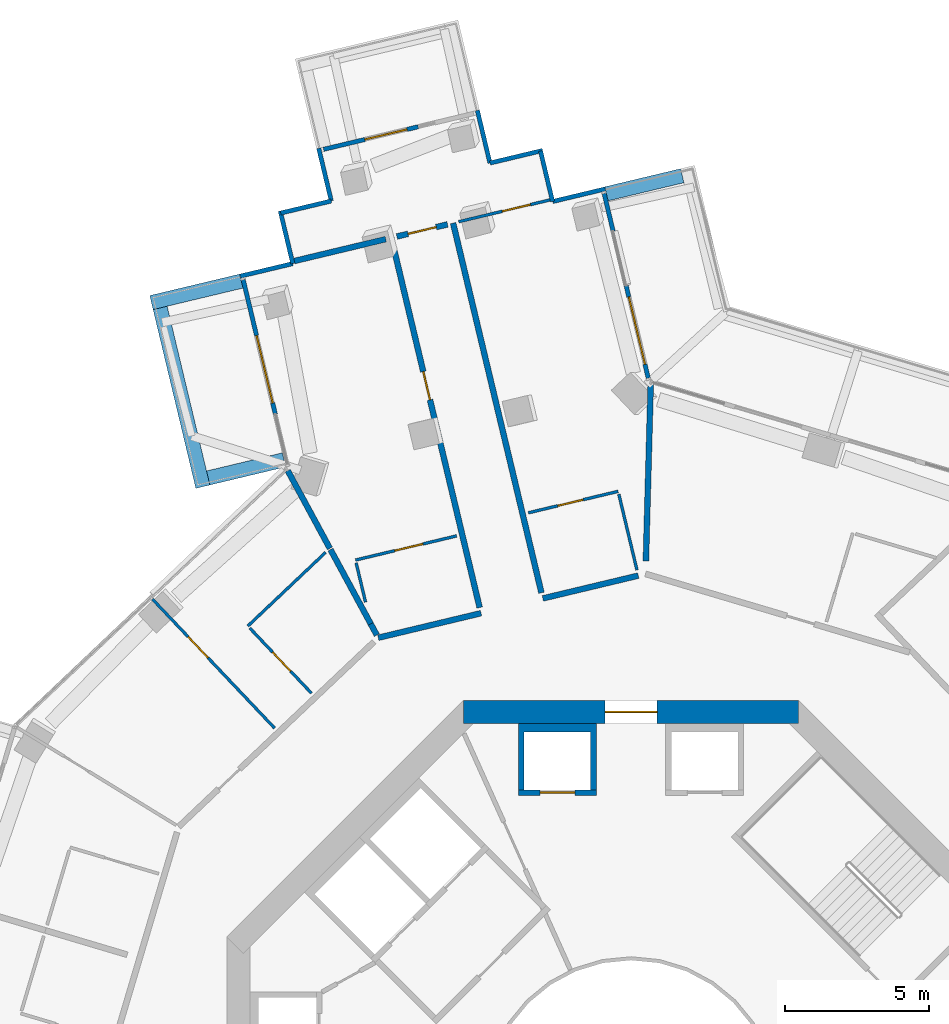
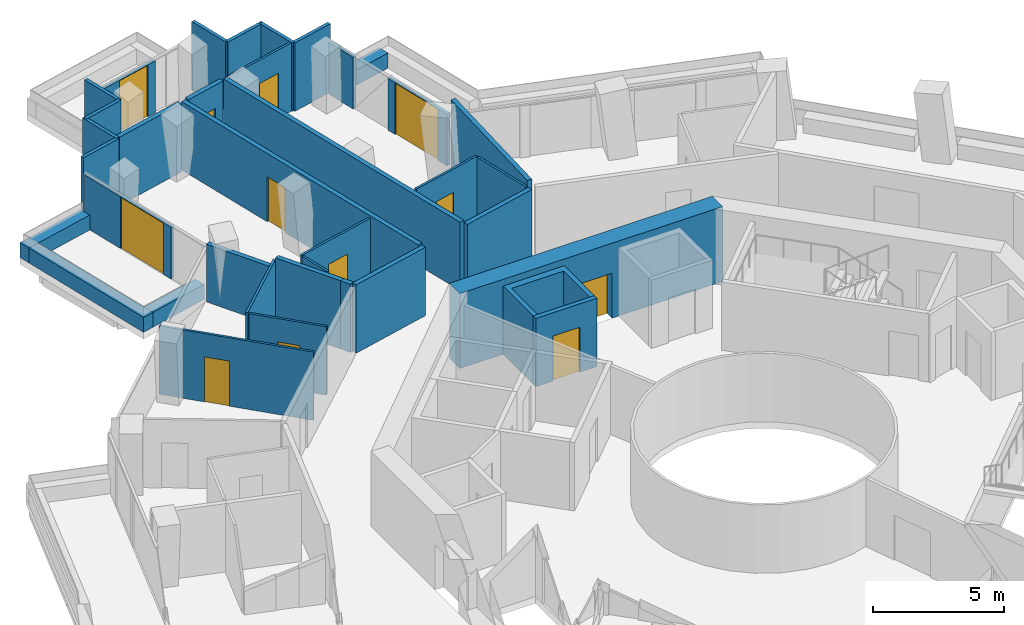
# One storey, part 22 of 27: 37 walls, 12 doors, 12 openings.
"""IFC4 building model written with IfcOpenShell, lengths in metres."""

from ifc_helpers import new_model, si_unit, direction, frame, frame_2d, origin, place, context, subcontext, project, spatial, polyline, rectangle, outline, extrude, material, layer, layer_set, type_object, element, fill, save


model = new_model("IFC4")

# Units and contexts
model_context = context("Model", 3, precision=1e-05, world=origin(), true_north=direction((0.0, 1.0)))
body_context = subcontext(model_context, "Body", "Model", "MODEL_VIEW")
ifc_project = project(units=[si_unit("LENGTHUNIT", "METRE"), si_unit("AREAUNIT", "SQUARE_METRE"), si_unit("VOLUMEUNIT", "CUBIC_METRE"), si_unit("PLANEANGLEUNIT", "RADIAN"), si_unit("MASSUNIT", "GRAM", prefix="KILO")], contexts=[model_context])

# Site, building, storey
site_placement = place(None, origin())
site = spatial("IfcSite", under=ifc_project, at=site_placement, CompositionType="ELEMENT")
building_placement = place(site_placement, origin())
building = spatial("IfcBuilding", under=site, at=building_placement, Name="Verdalira Terraces Hotel", CompositionType="ELEMENT")
storey_placement = place(building_placement, frame((0.0, 0.0, 89.5)))
storey = spatial("IfcBuildingStorey", under=building, at=storey_placement, Name="L20", CompositionType="ELEMENT", Elevation=89.5)

# Walls
ifc_material_1 = material(Name="Concrete C40", Category="concrete")
ifc_layer_1 = layer(ifc_material_1, 0.5)
ifc_layer_set_1 = layer_set([ifc_layer_1], Name="Balcony planter trough with tree")
wall_type_1 = type_object("IfcWallType", Name="Balcony planter trough with tree", PredefinedType="SOLIDWALL", material=ifc_layer_set_1)
wall_1_placement = place(storey_placement, frame((-13.498779, 28.516602, 0.0), z_axis=(0.0, 0.0, 1.0), x_axis=(-0.972621658, -0.232394299, 0.0)))
element("IfcWall", 1, at=wall_1_placement, inside=storey, type_object=wall_type_1, Name="Balcony planter", PredefinedType="SOLIDWALL", context=body_context, shape_type="SweptSolid", body=[
    extrude(rectangle(XDim=3.198975, YDim=0.5, at=frame_2d((1.599609, 0.0))), origin(), (0.0, 0.0, 1.0), 0.699951),
])
wall_2_placement = place(storey_placement, frame((-16.308838, 27.588135, 0.0), z_axis=(0.0, 0.0, 1.0), x_axis=(0.232405207, -0.972619052, 0.0)))
element("IfcWall", 2, at=wall_2_placement, inside=storey, type_object=wall_type_1, Name="Balcony planter", PredefinedType="SOLIDWALL", context=body_context, shape_type="SweptSolid", body=[
    extrude(rectangle(XDim=6.36499, YDim=0.5, at=frame_2d((3.182617, 0.0))), origin(), (0.0, 0.0, 1.0), 0.699951),
])
wall_3_placement = place(storey_placement, frame((-14.644531, 21.69873, 0.0), z_axis=(0.0, 0.0, 1.0), x_axis=(0.972606905, 0.232456035, 0.0)))
element("IfcWall", 3, at=wall_3_placement, inside=storey, type_object=wall_type_1, Name="Balcony planter", PredefinedType="SOLIDWALL", context=body_context, shape_type="SweptSolid", body=[
    extrude(rectangle(XDim=2.699219, YDim=0.5, at=frame_2d((1.349609, 0.0))), origin(), (0.0, 0.0, 1.0), 0.699951),
])
wall_4_placement = place(storey_placement, frame((1.772217, 32.166016, 0.0), z_axis=(0.0, 0.0, 1.0), x_axis=(-0.972602017, -0.232476487, 0.0)))
element("IfcWall", 4, at=wall_4_placement, inside=storey, type_object=wall_type_1, Name="Balcony planter", PredefinedType="SOLIDWALL", context=body_context, shape_type="SweptSolid", body=[
    extrude(rectangle(XDim=2.698975, YDim=0.5, at=frame_2d((1.349609, 0.0))), origin(), (0.0, 0.0, 1.0), 0.699951),
])

# Wall, opening, door
ifc_material_2 = material(Name="Moisture-resistant gypsum board partition")
ifc_layer_2 = layer(ifc_material_2, 0.10009765625)
ifc_layer_set_2 = layer_set([ifc_layer_2], Name="Bathroom partition 100 mm")
wall_type_2 = type_object("IfcWallType", Name="Bathroom partition 100 mm", PredefinedType="PARTITIONING", material=ifc_layer_set_2)
wall_5_placement = place(storey_placement, frame((-16.576904, 17.504883, 0.0), z_axis=(0.0, 0.0, 1.0), x_axis=(0.687611401, -0.726078894, 0.0)))
wall_5 = element("IfcWall", 5, at=wall_5_placement, inside=storey, type_object=wall_type_2, Name="Bathroom partition", PredefinedType="PARTITIONING", context=body_context, shape_type="SweptSolid", body=[
    extrude(rectangle(XDim=6.149902, YDim=0.100098, at=frame_2d((3.074951, 0.0))), origin(), (0.0, 0.0, 1.0), 3.189941),
])
opening_1_placement = place(wall_5_placement, frame((1.800049, 0.0, 0.0)))
opening_1 = element("IfcOpeningElement", 6, at=opening_1_placement, cuts=wall_5, Name="Opening L20-107", PredefinedType="OPENING", context=body_context, shape_type="SweptSolid", body=[
    extrude(rectangle(XDim=1.0, YDim=2.100098, at=frame_2d((0.5, 1.050049))), frame((0.0, 0.060059, 0.0), z_axis=(0.0, -1.0, 0.0), x_axis=(1.0, 0.0, 0.0)), (0.0, 0.0, 1.0), 0.120117),
])
ifc_material_3 = material(Name="Timber door", Category="wood")
door_type_1 = type_object("IfcDoorType", Name="Suite internal door 1000 x 2100", OperationType="NOTDEFINED", PredefinedType="DOOR", material=ifc_material_3)
door_1_placement = place(opening_1_placement, origin())
door_1 = element("IfcDoor", 7, at=door_1_placement, inside=storey, type_object=door_type_1, Name="Suite internal door 2003", OperationType="SINGLE_SWING_LEFT", OverallHeight=2.10009765625, OverallWidth=1.0, PredefinedType="DOOR", context=body_context, shape_type="SweptSolid", body=[
    extrude(rectangle(XDim=1.0, YDim=2.100098, at=frame_2d((0.5, 1.050049))), frame((0.0, 0.024902, 0.0), z_axis=(0.0, -1.0, 0.0), x_axis=(1.0, 0.0, 0.0)), (0.0, 0.0, 1.0), 0.050049),
])
fill(opening_1, door_1)

wall_6_placement = place(storey_placement, frame((-13.202881, 16.499512, 0.0), z_axis=(0.0, 0.0, 1.0), x_axis=(0.687589541, -0.726099596, 0.0)))
wall_6 = element("IfcWall", 8, at=wall_6_placement, inside=storey, type_object=wall_type_2, Name="Bathroom partition", PredefinedType="PARTITIONING", context=body_context, shape_type="SweptSolid", body=[
    extrude(rectangle(XDim=3.100098, YDim=0.100098, at=frame_2d((1.550049, 0.0))), origin(), (0.0, 0.0, 1.0), 3.189941),
])
opening_2_placement = place(wall_6_placement, frame((1.149902, 0.0, 0.0)))
opening_2 = element("IfcOpeningElement", 9, at=opening_2_placement, cuts=wall_6, Name="Opening L20-109", PredefinedType="OPENING", context=body_context, shape_type="SweptSolid", body=[
    extrude(rectangle(XDim=0.899902, YDim=2.100098, at=frame_2d((0.449951, 1.050049))), frame((0.0, 0.060059, 0.0), z_axis=(0.0, -1.0, 0.0), x_axis=(1.0, 0.0, 0.0)), (0.0, 0.0, 1.0), 0.120117),
])
ifc_material_4 = material(Name="Timber door", Category="wood")
door_type_2 = type_object("IfcDoorType", Name="Bathroom door 900 x 2100", OperationType="NOTDEFINED", PredefinedType="DOOR", material=ifc_material_4)
door_2_placement = place(opening_2_placement, origin())
door_2 = element("IfcDoor", 10, at=door_2_placement, inside=storey, type_object=door_type_2, Name="Bathroom door 2003", OperationType="SINGLE_SWING_LEFT", OverallHeight=2.10009765625, OverallWidth=0.89990234375, PredefinedType="DOOR", context=body_context, shape_type="SweptSolid", body=[
    extrude(rectangle(XDim=0.899902, YDim=2.100098, at=frame_2d((0.449951, 1.050049))), frame((0.0, 0.024902, 0.0), z_axis=(0.0, -1.0, 0.0), x_axis=(1.0, 0.0, 0.0)), (0.0, 0.0, 1.0), 0.050049),
])
fill(opening_2, door_2)

# Walls
wall_7_placement = place(storey_placement, frame((-10.582275, 19.118896, 0.0), z_axis=(0.0, 0.0, 1.0), x_axis=(-0.726060065, -0.687631284, 0.0)))
element("IfcWall", 11, at=wall_7_placement, inside=storey, type_object=wall_type_2, Name="Bathroom partition", PredefinedType="PARTITIONING", context=body_context, shape_type="SweptSolid", body=[
    extrude(rectangle(XDim=3.703857, YDim=0.100098, at=frame_2d((1.852051, 0.0))), origin(), (0.0, 0.0, 1.0), 3.189941),
])
wall_8_placement = place(storey_placement, frame((-9.195801, 17.398926, 0.0), z_axis=(0.0, 0.0, 1.0), x_axis=(-0.232501426, 0.972596055, 0.0)))
element("IfcWall", 12, at=wall_8_placement, inside=storey, type_object=wall_type_2, Name="Bathroom partition", PredefinedType="PARTITIONING", context=body_context, shape_type="SweptSolid", body=[
    extrude(rectangle(XDim=1.398682, YDim=0.100098, at=frame_2d((0.699219, 0.0))), origin(), (0.0, 0.0, 1.0), 3.189941),
])

# Wall, opening, door
wall_9_placement = place(storey_placement, frame((-6.042725, 19.693115, 0.0), z_axis=(0.0, 0.0, 1.0), x_axis=(-0.972618894, -0.232405867, 0.0)))
wall_9 = element("IfcWall", 13, at=wall_9_placement, inside=storey, type_object=wall_type_2, Name="Bathroom partition", PredefinedType="PARTITIONING", context=body_context, shape_type="SweptSolid", body=[
    extrude(rectangle(XDim=3.600098, YDim=0.100098, at=frame_2d((1.800049, 0.0))), origin(), (0.0, 0.0, 1.0), 3.189941),
])
opening_3_placement = place(wall_9_placement, frame((1.199951, 0.0, 0.0)))
opening_3 = element("IfcOpeningElement", 14, at=opening_3_placement, cuts=wall_9, Name="Opening L20-105", PredefinedType="OPENING", context=body_context, shape_type="SweptSolid", body=[
    extrude(rectangle(XDim=1.0, YDim=2.100098, at=frame_2d((0.5, 1.050049))), frame((0.0, 0.060059, 0.0), z_axis=(0.0, -1.0, 0.0), x_axis=(1.0, 0.0, 0.0)), (0.0, 0.0, 1.0), 0.120117),
])
ifc_material_5 = material(Name="Timber door", Category="wood")
door_type_3 = type_object("IfcDoorType", Name="Bathroom door 1000 x 2100", OperationType="NOTDEFINED", PredefinedType="DOOR", material=ifc_material_5)
door_3_placement = place(opening_3_placement, origin())
door_3 = element("IfcDoor", 15, at=door_3_placement, inside=storey, type_object=door_type_3, Name="Bathroom door 2002", OperationType="SINGLE_SWING_RIGHT", OverallHeight=2.10009765625, OverallWidth=1.0, PredefinedType="DOOR", context=body_context, shape_type="SweptSolid", body=[
    extrude(rectangle(XDim=1.0, YDim=2.100098, at=frame_2d((0.5, 1.050049))), frame((0.0, 0.024902, 0.0), z_axis=(0.0, -1.0, 0.0), x_axis=(1.0, 0.0, 0.0)), (0.0, 0.0, 1.0), 0.050049),
])
fill(opening_3, door_3)

wall_10_placement = place(storey_placement, frame((-2.806396, 31.328857, 0.0), z_axis=(0.0, 0.0, 1.0), x_axis=(-0.972615794, -0.232418841, 0.0)))
wall_10 = element("IfcWall", 16, at=wall_10_placement, inside=storey, type_object=wall_type_2, Name="Bathroom partition", PredefinedType="PARTITIONING", context=body_context, shape_type="SweptSolid", body=[
    extrude(rectangle(XDim=3.252197, YDim=0.100098, at=frame_2d((1.625977, 0.0))), origin(), (0.0, 0.0, 1.0), 3.189941),
])
opening_4_placement = place(wall_10_placement, frame((0.699951, 0.0, 0.0)))
opening_4 = element("IfcOpeningElement", 17, at=opening_4_placement, cuts=wall_10, Name="Opening L20-102", PredefinedType="OPENING", context=body_context, shape_type="SweptSolid", body=[
    extrude(rectangle(XDim=1.0, YDim=2.100098, at=frame_2d((0.5, 1.050049))), frame((0.0, 0.060059, 0.0), z_axis=(0.0, -1.0, 0.0), x_axis=(1.0, 0.0, 0.0)), (0.0, 0.0, 1.0), 0.120117),
])
door_4_placement = place(opening_4_placement, origin())
door_4 = element("IfcDoor", 18, at=door_4_placement, inside=storey, type_object=door_type_1, Name="Suite internal door 2001", OperationType="SINGLE_SWING_LEFT", OverallHeight=2.10009765625, OverallWidth=1.0, PredefinedType="DOOR", context=body_context, shape_type="SweptSolid", body=[
    extrude(rectangle(XDim=1.0, YDim=2.100098, at=frame_2d((0.5, 1.050049))), frame((0.0, 0.024902, 0.0), z_axis=(0.0, -1.0, 0.0), x_axis=(1.0, 0.0, 0.0)), (0.0, 0.0, 1.0), 0.050049),
])
fill(opening_4, door_4)

wall_11_placement = place(storey_placement, frame((-0.447998, 21.23584, 0.0), z_axis=(0.0, 0.0, 1.0), x_axis=(-0.972603647, -0.232469667, 0.0)))
wall_11 = element("IfcWall", 19, at=wall_11_placement, inside=storey, type_object=wall_type_2, Name="Bathroom partition", PredefinedType="PARTITIONING", context=body_context, shape_type="SweptSolid", body=[
    extrude(rectangle(XDim=3.199951, YDim=0.100098, at=frame_2d((1.600098, 0.0))), origin(), (0.0, 0.0, 1.0), 3.189941),
])
opening_5_placement = place(wall_11_placement, frame((1.25, 0.0, 0.0)))
opening_5 = element("IfcOpeningElement", 20, at=opening_5_placement, cuts=wall_11, Name="Opening L20-103", PredefinedType="OPENING", context=body_context, shape_type="SweptSolid", body=[
    extrude(rectangle(XDim=0.899902, YDim=2.100098, at=frame_2d((0.449951, 1.050049))), frame((0.0, 0.060059, 0.0), z_axis=(0.0, -1.0, 0.0), x_axis=(1.0, 0.0, 0.0)), (0.0, 0.0, 1.0), 0.120117),
])
door_5_placement = place(opening_5_placement, origin())
door_5 = element("IfcDoor", 21, at=door_5_placement, inside=storey, type_object=door_type_2, Name="Bathroom door 2001", OperationType="SINGLE_SWING_LEFT", OverallHeight=2.10009765625, OverallWidth=0.89990234375, PredefinedType="DOOR", context=body_context, shape_type="SweptSolid", body=[
    extrude(rectangle(XDim=0.899902, YDim=2.100098, at=frame_2d((0.449951, 1.050049))), frame((0.0, 0.024902, 0.0), z_axis=(0.0, -1.0, 0.0), x_axis=(1.0, 0.0, 0.0)), (0.0, 0.0, 1.0), 0.050049),
])
fill(opening_5, door_5)

# Walls
wall_12_placement = place(storey_placement, frame((0.202881, 18.512451, 0.0), z_axis=(0.0, 0.0, 1.0), x_axis=(-0.232480242, 0.972601119, 0.0)))
element("IfcWall", 22, at=wall_12_placement, inside=storey, type_object=wall_type_2, Name="Bathroom partition", PredefinedType="PARTITIONING", context=body_context, shape_type="SweptSolid", body=[
    extrude(rectangle(XDim=2.699951, YDim=0.100098, at=frame_2d((1.350098, 0.0))), origin(), (0.0, 0.0, 1.0), 3.189941),
])
ifc_material_6 = material(Name="Concrete C50", Category="concrete")
ifc_layer_3 = layer(ifc_material_6, 0.199951171875)
ifc_layer_set_3 = layer_set([ifc_layer_3], Name="Core RC wall 200 C50")
wall_type_3 = type_object("IfcWallType", Name="Core RC wall 200 C50", PredefinedType="SOLIDWALL", material=ifc_layer_set_3)
wall_13_placement = place(storey_placement, origin())
element("IfcWall", 23, at=wall_13_placement, inside=storey, type_object=wall_type_3, Name="L20 shaft wall N2", PredefinedType="SOLIDWALL", context=body_context, shape_type="SweptSolid", body=[
    extrude(outline(polyline([(-3.899902, 10.899902), (-3.899902, 13.199951), (-1.199951, 13.199951), (-1.199951, 10.899902), (-1.399902, 10.899902), (-1.399902, 12.899902), (-3.699951, 12.899902), (-3.699951, 10.899902), (-3.899902, 10.899902)])), origin(), (0.0, 0.0, 1.0), 3.189941),
])

# Wall, opening, door
wall_14_placement = place(storey_placement, frame((-1.199951, 10.800049, 0.0), z_axis=(0.0, 0.0, 1.0), x_axis=(-1.0, 0.0, 0.0)))
wall_14 = element("IfcWall", 24, at=wall_14_placement, inside=storey, type_object=wall_type_3, Name="L20 shaft front wall N2", PredefinedType="SOLIDWALL", context=body_context, shape_type="SweptSolid", body=[
    extrude(rectangle(XDim=2.699951, YDim=0.199951, at=frame_2d((1.350098, 0.0))), origin(), (0.0, 0.0, 1.0), 3.189941),
])
opening_6_placement = place(wall_14_placement, frame((0.75, 0.0, 0.0)))
opening_6 = element("IfcOpeningElement", 25, at=opening_6_placement, cuts=wall_14, Name="Opening LD-L20-804", PredefinedType="OPENING", context=body_context, shape_type="SweptSolid", body=[
    extrude(rectangle(XDim=1.199951, YDim=2.100098, at=frame_2d((0.600098, 1.050049))), frame((0.0, 0.109863, 0.0), z_axis=(0.0, -1.0, 0.0), x_axis=(1.0, 0.0, 0.0)), (0.0, 0.0, 1.0), 0.219971),
])
ifc_material_7 = material(Name="Stainless steel", Category="steel")
door_type_4 = type_object("IfcDoorType", Name="Landing door 1200 x 2100", OperationType="NOTDEFINED", PredefinedType="DOOR", material=ifc_material_7)
door_6_placement = place(opening_6_placement, origin())
door_6 = element("IfcDoor", 26, at=door_6_placement, inside=storey, type_object=door_type_4, Name="Lift landing door LR4 L20", OperationType="DOUBLE_DOOR_SLIDING", OverallHeight=2.10009765625, OverallWidth=1.199951171875, PredefinedType="DOOR", context=body_context, shape_type="SweptSolid", body=[
    extrude(rectangle(XDim=1.199951, YDim=2.100098, at=frame_2d((0.600098, 1.050049))), frame((0.0, 0.024902, 0.0), z_axis=(0.0, -1.0, 0.0), x_axis=(1.0, 0.0, 0.0)), (0.0, 0.0, 1.0), 0.050049),
])
fill(opening_6, door_6)

ifc_material_8 = material(Name="Concrete C70", Category="concrete")
ifc_layer_4 = layer(ifc_material_8, 0.800048828125)
ifc_layer_set_4 = layer_set([ifc_layer_4], Name="Core wall 800 C70")
wall_type_4 = type_object("IfcWallType", Name="Core wall 800 C70", PredefinedType="SHEAR", material=ifc_layer_set_4)
wall_15_placement = place(storey_placement, frame((5.799072, 13.600098, 0.0), z_axis=(0.0, 0.0, 1.0), x_axis=(-1.0, 0.0, 0.0)))
wall_15 = element("IfcWall", 27, at=wall_15_placement, inside=storey, type_object=wall_type_4, Name="Core wall CW-L20-3", PredefinedType="SHEAR", context=body_context, shape_type="SweptSolid", body=[
    extrude(rectangle(XDim=11.598145, YDim=0.800049, at=frame_2d((5.799072, 0.0))), origin(), (0.0, 0.0, 1.0), 3.5),
])
opening_7_placement = place(wall_15_placement, frame((4.898926, 0.0, 0.0)))
opening_7 = element("IfcOpeningElement", 28, at=opening_7_placement, cuts=wall_15, Name="Opening L20-813", PredefinedType="OPENING", context=body_context, shape_type="SweptSolid", body=[
    extrude(rectangle(XDim=1.800049, YDim=2.100098, at=frame_2d((0.899902, 1.050049))), frame((0.0, 0.409912, 0.0), z_axis=(0.0, -1.0, 0.0), x_axis=(1.0, 0.0, 0.0)), (0.0, 0.0, 1.0), 0.820068),
])
ifc_material_9 = material(Name="Steel fire door", Category="steel")
door_type_5 = type_object("IfcDoorType", Name="Core entry door pair 1800 x 2100", OperationType="NOTDEFINED", PredefinedType="DOOR", material=ifc_material_9)
door_7_placement = place(opening_7_placement, origin())
door_7 = element("IfcDoor", 29, at=door_7_placement, inside=storey, type_object=door_type_5, Name="Core entry door L20 2", OperationType="DOUBLE_DOOR_SINGLE_SWING", OverallHeight=2.10009765625, OverallWidth=1.800048828125, PredefinedType="DOOR", context=body_context, shape_type="SweptSolid", body=[
    extrude(rectangle(XDim=1.800049, YDim=2.100098, at=frame_2d((0.899902, 1.050049))), frame((0.0, 0.024902, 0.0), z_axis=(0.0, -1.0, 0.0), x_axis=(1.0, 0.0, 0.0)), (0.0, 0.0, 1.0), 0.050049),
])
fill(opening_7, door_7)

# Walls
ifc_material_10 = material(Name="Fire-rated gypsum board wall")
ifc_layer_5 = layer(ifc_material_10, 0.199951171875)
ifc_layer_set_5 = layer_set([ifc_layer_5], Name="Demising wall 200 mm")
wall_type_5 = type_object("IfcWallType", Name="Demising wall 200 mm", PredefinedType="SOLIDWALL", material=ifc_layer_set_5)
wall_16_placement = place(storey_placement, frame((-8.496338, 29.968994, 0.0), z_axis=(0.0, 0.0, 1.0), x_axis=(-0.972611738, -0.232435812, 0.0)))
element("IfcWall", 30, at=wall_16_placement, inside=storey, type_object=wall_type_5, Name="Demising wall", PredefinedType="SOLIDWALL", context=body_context, shape_type="SweptSolid", body=[
    extrude(rectangle(XDim=3.251953, YDim=0.199951, at=frame_2d((1.625977, 0.0))), origin(), (0.0, 0.0, 1.0), 3.189941),
])
wall_17_placement = place(storey_placement, frame((-9.016113, 16.647217, 0.0), z_axis=(0.0, 0.0, 1.0), x_axis=(-0.476223987, 0.87932401, 0.0)))
element("IfcWall", 31, at=wall_17_placement, inside=storey, type_object=wall_type_5, Name="Demising wall", PredefinedType="SOLIDWALL", context=body_context, shape_type="SweptSolid", body=[
    extrude(rectangle(XDim=2.924805, YDim=0.199951, at=frame_2d((1.462402, 0.0))), origin(), (0.0, 0.0, 1.0), 3.189941),
])
wall_18_placement = place(storey_placement, frame((-8.804688, 16.25708, 0.0), z_axis=(0.0, 0.0, 1.0), x_axis=(-0.47646038, 0.879195943, 0.0)))
element("IfcWall", 32, at=wall_18_placement, inside=storey, type_object=wall_type_5, Name="Demising wall", PredefinedType="SOLIDWALL", context=body_context, shape_type="SweptSolid", body=[
    extrude(rectangle(XDim=0.443848, YDim=0.199951, at=frame_2d((0.221924, 0.0))), origin(), (0.0, 0.0, 1.0), 3.189941),
])
wall_19_placement = place(storey_placement, frame((0.679688, 24.954834, 0.0), z_axis=(0.0, 0.0, 1.0), x_axis=(-0.02723221, -0.999629135, 0.0)))
element("IfcWall", 33, at=wall_19_placement, inside=storey, type_object=wall_type_5, Name="Demising wall", PredefinedType="SOLIDWALL", context=body_context, shape_type="SweptSolid", body=[
    extrude(rectangle(XDim=6.13208, YDim=0.199951, at=frame_2d((3.065918, 0.0))), origin(), (0.0, 0.0, 1.0), 3.189941),
])
ifc_material_11 = material(Name="Fire-rated gypsum board wall")
ifc_layer_6 = layer(ifc_material_11, 0.199951171875)
ifc_layer_set_6 = layer_set([ifc_layer_6], Name="Demising wall 200 mm to beam soffit")
wall_type_6 = type_object("IfcWallType", Name="Demising wall 200 mm to beam soffit", PredefinedType="SOLIDWALL", material=ifc_layer_set_6)
wall_20_placement = place(storey_placement, frame((-10.430908, 19.259521, 0.0), z_axis=(0.0, 0.0, 1.0), x_axis=(-0.476257458, 0.879305882, 0.0)))
element("IfcWall", 34, at=wall_20_placement, inside=storey, type_object=wall_type_6, Name="Demising wall", PredefinedType="SOLIDWALL", context=body_context, shape_type="SweptSolid", body=[
    extrude(rectangle(XDim=3.061279, YDim=0.199951, at=frame_2d((1.530762, 0.0))), origin(), (0.0, 0.0, 1.0), 2.689941),
])

# Wall, opening, door
ifc_material_12 = material(Name="Fire-rated gypsum board wall")
ifc_layer_7 = layer(ifc_material_12, 0.199951171875)
ifc_layer_set_7 = layer_set([ifc_layer_7], Name="Guest corridor wall 200 mm")
wall_type_7 = type_object("IfcWallType", Name="Guest corridor wall 200 mm", PredefinedType="SOLIDWALL", material=ifc_layer_set_7)
wall_21_placement = place(storey_placement, frame((-8.111084, 30.061035, 0.0), z_axis=(0.0, 0.0, 1.0), x_axis=(0.97259087, 0.232523116, 0.0)))
wall_21 = element("IfcWall", 35, at=wall_21_placement, inside=storey, type_object=wall_type_7, Name="Guest corridor wall", PredefinedType="SOLIDWALL", context=body_context, shape_type="SweptSolid", body=[
    extrude(rectangle(XDim=1.803955, YDim=0.199951, at=frame_2d((0.901855, 0.0))), origin(), (0.0, 0.0, 1.0), 3.189941),
])
opening_8_placement = place(wall_21_placement, frame((0.399902, 0.0, 0.0)))
opening_8 = element("IfcOpeningElement", 36, at=opening_8_placement, cuts=wall_21, Name="Opening L20-101", PredefinedType="OPENING", context=body_context, shape_type="SweptSolid", body=[
    extrude(rectangle(XDim=1.0, YDim=2.100098, at=frame_2d((0.5, 1.050049))), frame((0.0, 0.109863, 0.0), z_axis=(0.0, -1.0, 0.0), x_axis=(1.0, 0.0, 0.0)), (0.0, 0.0, 1.0), 0.219971),
])
ifc_material_13 = material(Name="Timber fire door", Category="wood")
door_type_6 = type_object("IfcDoorType", Name="Guest entry door 1000 x 2100", OperationType="NOTDEFINED", PredefinedType="DOOR", material=ifc_material_13)
door_8_placement = place(opening_8_placement, origin())
door_8 = element("IfcDoor", 37, at=door_8_placement, inside=storey, type_object=door_type_6, Name="Guest entry door 2001", OperationType="SINGLE_SWING_LEFT", OverallHeight=2.10009765625, OverallWidth=1.0, PredefinedType="DOOR", context=body_context, shape_type="SweptSolid", body=[
    extrude(rectangle(XDim=1.0, YDim=2.100098, at=frame_2d((0.5, 1.050049))), frame((0.0, 0.024902, 0.0), z_axis=(0.0, -1.0, 0.0), x_axis=(1.0, 0.0, 0.0)), (0.0, 0.0, 1.0), 0.050049),
])
fill(opening_8, door_8)

# Wall
wall_22_placement = place(storey_placement, frame((-5.19751, 17.016357, 0.0), z_axis=(0.0, 0.0, 1.0), x_axis=(-0.972610386, -0.232441469, 0.0)))
element("IfcWall", 38, at=wall_22_placement, inside=storey, type_object=wall_type_7, Name="Guest corridor wall", PredefinedType="SOLIDWALL", context=body_context, shape_type="SweptSolid", body=[
    extrude(rectangle(XDim=3.658203, YDim=0.199951, at=frame_2d((1.829102, 0.0))), origin(), (0.0, 0.0, 1.0), 3.189941),
])

# Wall, opening, door
wall_23_placement = place(storey_placement, frame((-5.243896, 17.210938, 0.0), z_axis=(0.0, 0.0, 1.0), x_axis=(-0.232425248, 0.972614263, 0.0)))
wall_23 = element("IfcWall", 39, at=wall_23_placement, inside=storey, type_object=wall_type_7, Name="Guest corridor wall", PredefinedType="SOLIDWALL", context=body_context, shape_type="SweptSolid", body=[
    extrude(rectangle(XDim=13.164795, YDim=0.199951, at=frame_2d((6.58252, 0.0))), origin(), (0.0, 0.0, 1.0), 3.189941),
])
opening_9_placement = place(wall_23_placement, frame((7.399902, 0.0, 0.0)))
opening_9 = element("IfcOpeningElement", 40, at=opening_9_placement, cuts=wall_23, Name="Opening L20-104", PredefinedType="OPENING", context=body_context, shape_type="SweptSolid", body=[
    extrude(rectangle(XDim=1.0, YDim=2.100098, at=frame_2d((0.5, 1.050049))), frame((0.0, 0.109863, 0.0), z_axis=(0.0, -1.0, 0.0), x_axis=(1.0, 0.0, 0.0)), (0.0, 0.0, 1.0), 0.219971),
])
door_9_placement = place(opening_9_placement, origin())
door_9 = element("IfcDoor", 41, at=door_9_placement, inside=storey, type_object=door_type_6, Name="Guest entry door 2002", OperationType="SINGLE_SWING_RIGHT", OverallHeight=2.10009765625, OverallWidth=1.0, PredefinedType="DOOR", context=body_context, shape_type="SweptSolid", body=[
    extrude(rectangle(XDim=1.0, YDim=2.100098, at=frame_2d((0.5, 1.050049))), frame((0.0, 0.024902, 0.0), z_axis=(0.0, -1.0, 0.0), x_axis=(1.0, 0.0, 0.0)), (0.0, 0.0, 1.0), 0.050049),
])
fill(opening_9, door_9)

# Walls
wall_24_placement = place(storey_placement, frame((-3.104004, 17.722168, 0.0), z_axis=(0.0, 0.0, 1.0), x_axis=(-0.232438599, 0.972611072, 0.0)))
element("IfcWall", 42, at=wall_24_placement, inside=storey, type_object=wall_type_7, Name="Guest corridor wall", PredefinedType="SOLIDWALL", context=body_context, shape_type="SweptSolid", body=[
    extrude(rectangle(XDim=13.165039, YDim=0.199951, at=frame_2d((6.58252, 0.0))), origin(), (0.0, 0.0, 1.0), 3.189941),
])
wall_25_placement = place(storey_placement, frame((0.249268, 18.317871, 0.0), z_axis=(0.0, 0.0, 1.0), x_axis=(-0.972611719, -0.23243589, 0.0)))
element("IfcWall", 43, at=wall_25_placement, inside=storey, type_object=wall_type_7, Name="Guest corridor wall", PredefinedType="SOLIDWALL", context=body_context, shape_type="SweptSolid", body=[
    extrude(rectangle(XDim=3.399902, YDim=0.199951, at=frame_2d((1.699951, 0.0))), origin(), (0.0, 0.0, 1.0), 3.189941),
])
ifc_material_14 = material(Name="Terracotta cladding", Category="masonry")
ifc_layer_8 = layer(ifc_material_14, 0.14990234375)
ifc_layer_set_8 = layer_set([ifc_layer_8], Name="Terracotta clad wall 150")
wall_type_8 = type_object("IfcWallType", Name="Terracotta clad wall 150", PredefinedType="SOLIDWALL", material=ifc_layer_set_8)
wall_26_placement = place(storey_placement, frame((-0.894531, 31.708496, 0.0), z_axis=(0.0, 0.0, 1.0), x_axis=(-0.972610259, -0.232442002, 0.0)))
element("IfcWall", 44, at=wall_26_placement, inside=storey, type_object=wall_type_8, Name="Terracotta cladding wall", PredefinedType="SOLIDWALL", context=body_context, shape_type="SweptSolid", body=[
    extrude(rectangle(XDim=1.874756, YDim=0.149902, at=frame_2d((0.9375, 0.0))), origin(), (0.0, 0.0, 1.0), 3.189941),
])
wall_27_placement = place(storey_placement, frame((-2.718018, 31.272705, 0.0), z_axis=(0.0, 0.0, 1.0), x_axis=(-0.232470019, 0.972603563, 0.0)))
element("IfcWall", 45, at=wall_27_placement, inside=storey, type_object=wall_type_8, Name="Terracotta cladding wall", PredefinedType="SOLIDWALL", context=body_context, shape_type="SweptSolid", body=[
    extrude(rectangle(XDim=1.800049, YDim=0.149902, at=frame_2d((0.899902, 0.0))), origin(), (0.0, 0.0, 1.0), 3.189941),
])
wall_28_placement = place(storey_placement, frame((-3.063477, 33.041016, 0.0), z_axis=(0.0, 0.0, 1.0), x_axis=(-0.972617293, -0.232412566, 0.0)))
element("IfcWall", 46, at=wall_28_placement, inside=storey, type_object=wall_type_8, Name="Terracotta cladding wall", PredefinedType="SOLIDWALL", context=body_context, shape_type="SweptSolid", body=[
    extrude(rectangle(XDim=1.875, YDim=0.149902, at=frame_2d((0.9375, 0.0))), origin(), (0.0, 0.0, 1.0), 3.189941),
])
for number, where, z_axis, x_axis, name in (
    (47, (-4.887207, 32.605225, 0.0), (0.0, 0.0, 1.0), (-0.232442002, 0.972610259, 0.0), "Terracotta cladding wall"),
    (48, (-10.818115, 33.115479, 0.0), (0.0, 0.0, 1.0), (0.232442002, -0.972610259, 0.0), "Terracotta cladding wall"),
):
    element("IfcWall", number, at=place(storey_placement, frame(where, z_axis=z_axis, x_axis=x_axis)), inside=storey, type_object=wall_type_8, Name=name, PredefinedType="SOLIDWALL", context=body_context, shape_type="SweptSolid", body=[
        extrude(rectangle(XDim=1.874756, YDim=0.149902, at=frame_2d((0.9375, 0.0))), origin(), (0.0, 0.0, 1.0), 3.189941),
    ])
wall_29_placement = place(storey_placement, frame((-10.382324, 31.291992, 0.0), z_axis=(0.0, 0.0, 1.0), x_axis=(-0.972603563, -0.232470019, 0.0)))
element("IfcWall", 49, at=wall_29_placement, inside=storey, type_object=wall_type_8, Name="Terracotta cladding wall", PredefinedType="SOLIDWALL", context=body_context, shape_type="SweptSolid", body=[
    extrude(rectangle(XDim=1.800049, YDim=0.149902, at=frame_2d((0.899902, 0.0))), origin(), (0.0, 0.0, 1.0), 3.189941),
])
wall_30_placement = place(storey_placement, frame((-12.150635, 30.946533, 0.0), z_axis=(0.0, 0.0, 1.0), x_axis=(0.232412566, -0.972617293, 0.0)))
element("IfcWall", 50, at=wall_30_placement, inside=storey, type_object=wall_type_8, Name="Terracotta cladding wall", PredefinedType="SOLIDWALL", context=body_context, shape_type="SweptSolid", body=[
    extrude(rectangle(XDim=1.875, YDim=0.149902, at=frame_2d((0.9375, 0.0))), origin(), (0.0, 0.0, 1.0), 3.189941),
])
wall_31_placement = place(storey_placement, frame((-11.714844, 29.122803, 0.0), z_axis=(0.0, 0.0, 1.0), x_axis=(-0.972610259, -0.232442002, 0.0)))
element("IfcWall", 51, at=wall_31_placement, inside=storey, type_object=wall_type_8, Name="Terracotta cladding wall", PredefinedType="SOLIDWALL", context=body_context, shape_type="SweptSolid", body=[
    extrude(rectangle(XDim=1.874756, YDim=0.149902, at=frame_2d((0.9375, 0.0))), origin(), (0.0, 0.0, 1.0), 3.189941),
])
ifc_material_15 = material(Name="Terracotta cladding", Category="masonry")
ifc_layer_9 = layer(ifc_material_15, 0.14990234375)
ifc_layer_set_9 = layer_set([ifc_layer_9], Name="Terracotta column pier 150")
wall_type_9 = type_object("IfcWallType", Name="Terracotta column pier 150", PredefinedType="SOLIDWALL", material=ifc_layer_set_9)
wall_32_placement = place(storey_placement, frame((-0.620361, 30.23877, 0.0), z_axis=(0.0, 0.0, 1.0), x_axis=(-0.232338607, 0.972634963, 0.0)))
element("IfcWall", 52, at=wall_32_placement, inside=storey, type_object=wall_type_9, Name="Terracotta column pier", PredefinedType="SOLIDWALL", context=body_context, shape_type="SweptSolid", body=[
    extrude(rectangle(XDim=1.348145, YDim=0.149902, at=frame_2d((0.674072, 0.0))), origin(), (0.0, 0.0, 1.0), 2.425049),
])

# Wall, opening, door
ifc_material_16 = material(Name="Terracotta cladding", Category="masonry")
ifc_layer_10 = layer(ifc_material_16, 0.14990234375)
ifc_layer_set_10 = layer_set([ifc_layer_10], Name="Terracotta door pier 150")
wall_type_10 = type_object("IfcWallType", Name="Terracotta door pier 150", PredefinedType="SOLIDWALL", material=ifc_layer_set_10)
wall_33_placement = place(storey_placement, frame((0.594482, 25.155518, 0.0), z_axis=(0.0, 0.0, 1.0), x_axis=(-0.232458891, 0.972606222, 0.0)))
wall_33 = element("IfcWall", 53, at=wall_33_placement, inside=storey, type_object=wall_type_10, Name="Terracotta door pier", PredefinedType="SOLIDWALL", context=body_context, shape_type="SweptSolid", body=[
    extrude(rectangle(XDim=3.293701, YDim=0.149902, at=frame_2d((1.646973, 0.0))), origin(), (0.0, 0.0, 1.0), 2.425049),
])
opening_10_placement = place(wall_33_placement, frame((0.493652, 0.0, 0.0)))
opening_10 = element("IfcOpeningElement", 54, at=opening_10_placement, cuts=wall_33, Name="Opening L20-B01", PredefinedType="OPENING", context=body_context, shape_type="SweptSolid", body=[
    extrude(rectangle(XDim=2.399902, YDim=2.399902, at=frame_2d((1.199951, 1.199951))), frame((0.0, 0.084961, 0.0), z_axis=(0.0, -1.0, 0.0), x_axis=(1.0, 0.0, 0.0)), (0.0, 0.0, 1.0), 0.169922),
])
ifc_material_17 = material(Name="Clear glass", Category="glass")
door_type_7 = type_object("IfcDoorType", Name="Balcony sliding door 2400x2400", OperationType="NOTDEFINED", PredefinedType="DOOR", material=ifc_material_17)
door_10_placement = place(opening_10_placement, origin())
door_10 = element("IfcDoor", 55, at=door_10_placement, inside=storey, type_object=door_type_7, Name="Balcony sliding door", OperationType="SLIDING_TO_LEFT", OverallHeight=2.39990234375, OverallWidth=2.39990234375, PredefinedType="DOOR", context=body_context, shape_type="SweptSolid", body=[
    extrude(rectangle(XDim=2.399902, YDim=2.399902, at=frame_2d((1.199951, 1.199951))), frame((0.0, 0.024902, 0.0), z_axis=(0.0, -1.0, 0.0), x_axis=(1.0, 0.0, 0.0)), (0.0, 0.0, 1.0), 0.050049),
])
fill(opening_10, door_10)

wall_34_placement = place(storey_placement, frame((-7.372314, 33.862061, 0.0), z_axis=(0.0, 0.0, 1.0), x_axis=(-0.972604533, -0.232465958, 0.0)))
wall_34 = element("IfcWall", 56, at=wall_34_placement, inside=storey, type_object=wall_type_10, Name="Terracotta door pier", PredefinedType="SOLIDWALL", context=body_context, shape_type="SweptSolid", body=[
    extrude(rectangle(XDim=3.370117, YDim=0.149902, at=frame_2d((1.685059, 0.0))), origin(), (0.0, 0.0, 1.0), 2.425049),
])
opening_11_placement = place(wall_34_placement, frame((0.399902, 0.0, 0.0)))
opening_11 = element("IfcOpeningElement", 57, at=opening_11_placement, cuts=wall_34, Name="Opening L20-B02", PredefinedType="OPENING", context=body_context, shape_type="SweptSolid", body=[
    extrude(rectangle(XDim=1.5, YDim=2.399902, at=frame_2d((0.75, 1.199951))), frame((0.0, 0.084961, 0.0), z_axis=(0.0, -1.0, 0.0), x_axis=(1.0, 0.0, 0.0)), (0.0, 0.0, 1.0), 0.169922),
])
ifc_material_18 = material(Name="Clear glass", Category="glass")
door_type_8 = type_object("IfcDoorType", Name="Balcony sliding door 1500x2400", OperationType="NOTDEFINED", PredefinedType="DOOR", material=ifc_material_18)
door_11_placement = place(opening_11_placement, origin())
door_11 = element("IfcDoor", 58, at=door_11_placement, inside=storey, type_object=door_type_8, Name="Balcony sliding door", OperationType="SLIDING_TO_RIGHT", OverallHeight=2.39990234375, OverallWidth=1.5, PredefinedType="DOOR", context=body_context, shape_type="SweptSolid", body=[
    extrude(rectangle(XDim=1.5, YDim=2.399902, at=frame_2d((0.75, 1.199951))), frame((0.0, 0.024902, 0.0), z_axis=(0.0, -1.0, 0.0), x_axis=(1.0, 0.0, 0.0)), (0.0, 0.0, 1.0), 0.050049),
])
fill(opening_11, door_11)

wall_35_placement = place(storey_placement, frame((-13.431885, 28.563477, 0.0), z_axis=(0.0, 0.0, 1.0), x_axis=(0.232433775, -0.972612225, 0.0)))
wall_35 = element("IfcWall", 59, at=wall_35_placement, inside=storey, type_object=wall_type_10, Name="Terracotta door pier", PredefinedType="SOLIDWALL", context=body_context, shape_type="SweptSolid", body=[
    extrude(rectangle(XDim=4.788574, YDim=0.149902, at=frame_2d((2.394287, 0.0))), origin(), (0.0, 0.0, 1.0), 2.425049),
])
opening_12_placement = place(wall_35_placement, frame((1.98877, 0.0, 0.0)))
opening_12 = element("IfcOpeningElement", 60, at=opening_12_placement, cuts=wall_35, Name="Opening L20-B03", PredefinedType="OPENING", context=body_context, shape_type="SweptSolid", body=[
    extrude(rectangle(XDim=2.399902, YDim=2.399902, at=frame_2d((1.199951, 1.199951))), frame((0.0, 0.084961, 0.0), z_axis=(0.0, -1.0, 0.0), x_axis=(1.0, 0.0, 0.0)), (0.0, 0.0, 1.0), 0.169922),
])
door_12_placement = place(opening_12_placement, origin())
door_12 = element("IfcDoor", 61, at=door_12_placement, inside=storey, type_object=door_type_7, Name="Balcony sliding door", OperationType="SLIDING_TO_LEFT", OverallHeight=2.39990234375, OverallWidth=2.39990234375, PredefinedType="DOOR", context=body_context, shape_type="SweptSolid", body=[
    extrude(rectangle(XDim=2.399902, YDim=2.399902, at=frame_2d((1.199951, 1.199951))), frame((0.0, 0.024902, 0.0), z_axis=(0.0, -1.0, 0.0), x_axis=(1.0, 0.0, 0.0)), (0.0, 0.0, 1.0), 0.050049),
])
fill(opening_12, door_12)

save(model, "model.ifc")
